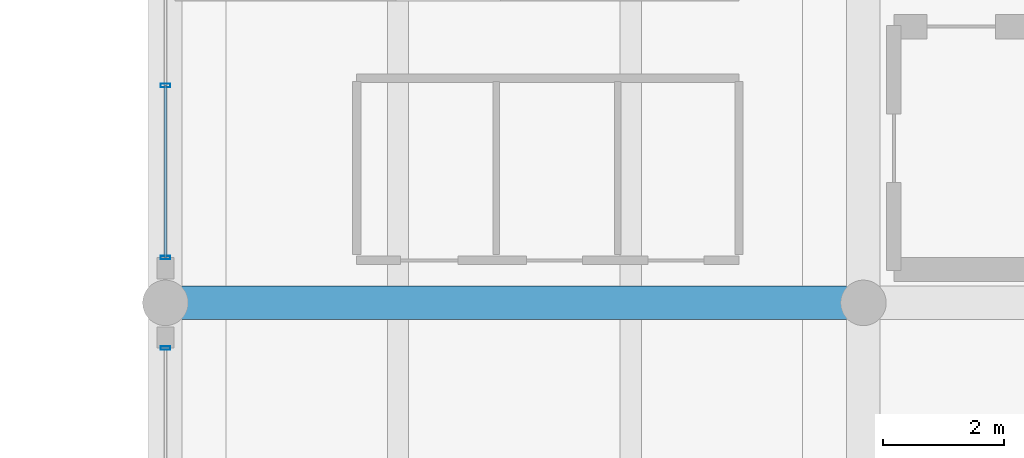
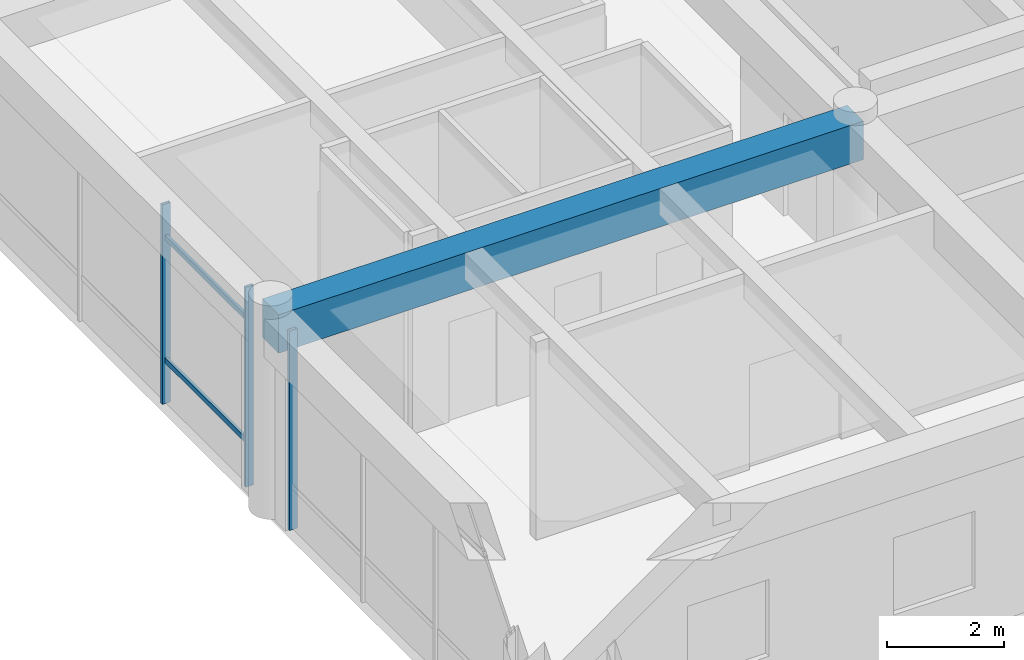
# One storey, part 5 of 27: 5 members, 1 beam, 2 elements without a shape of their own.
"""IFC4 building model written with IfcOpenShell, lengths in metres."""

from ifc_helpers import new_model, si_unit, direction, frame, origin, origin_2d, place, context, subcontext, project, spatial, rectangle, hollow_rectangle, extrude, material, material_profile, profile_set, type_object, element, aggregate, save


model = new_model("IFC4")

# Units and contexts
model_context = context("Model", 3, precision=1e-05, world=origin(), true_north=direction((0.0, 1.0)))
body_context = subcontext(model_context, "Body", "Model", "MODEL_VIEW")
ifc_project = project(units=[si_unit("LENGTHUNIT", "METRE"), si_unit("AREAUNIT", "SQUARE_METRE"), si_unit("VOLUMEUNIT", "CUBIC_METRE"), si_unit("PLANEANGLEUNIT", "RADIAN"), si_unit("MASSUNIT", "GRAM", prefix="KILO")], contexts=[model_context])

# Site, building, storey
site_placement = place(None, origin())
site = spatial("IfcSite", under=ifc_project, at=site_placement, CompositionType="ELEMENT")
building_placement = place(site_placement, origin())
building = spatial("IfcBuilding", under=site, at=building_placement, Name="Ologun Quay Terminus", CompositionType="ELEMENT")
storey_placement = place(building_placement, frame((0.0, 0.0, 22.4599609375)))
storey = spatial("IfcBuildingStorey", under=building, at=storey_placement, Name="L05", CompositionType="ELEMENT", Elevation=22.4599609375)

# Curtain wall, member
ifc_material_1 = material(Name="Aluminium 6063-T6", Category="aluminium")
curtain_wall_type = type_object("IfcCurtainWallType", Name="Operations Wing Canteen Curtain Wall L05 10600x4050", PredefinedType="USERDEFINED", material=ifc_material_1)
curtain_wall_1_placement = place(storey_placement, origin())
curtain_wall_1 = element("IfcCurtainWall", 1, at=curtain_wall_1_placement, inside=storey, type_object=curtain_wall_type, Name="CW-28 Curtain Wall CW-L05-156", ObjectType="UNITISED CURTAIN WALL", PredefinedType="USERDEFINED")
ifc_material_2 = material(Name="Aluminium 6063-T6", Category="aluminium")
ifc_material_profile_1 = material_profile(ifc_material_2, hollow_rectangle(XDim=0.06005859375, YDim=0.159912109375, WallThickness=0.00390625, at=origin_2d()), Name="ALU 160x60x4")
ifc_profile_set_1 = profile_set([ifc_material_profile_1], Name="Aluminium 6063-T6")
member_type_1 = type_object("IfcMemberType", Name="Courtyard Screen Mullion 160x65", PredefinedType="MULLION", material=ifc_profile_set_1)
member_1_placement = place(storey_placement, frame((115.0, 94.054931640625, 0.0), z_axis=(0.0, 0.0, 1.0), x_axis=(0.0, 1.0, 0.0)))
member_1 = element("IfcMember", 2, at=member_1_placement, type_object=member_type_1, Name="CW-L05-156 Mullion 4", PredefinedType="MULLION", context=body_context, shape_type="SweptSolid", body=[
    extrude(hollow_rectangle(XDim=0.06005859375, YDim=0.159912109375, WallThickness=0.00390625, at=origin_2d()), origin(), (0.0, 0.0, 1.0), 4.150146484375),
])
aggregate(curtain_wall_1, [member_1])

# Curtain wall, members
curtain_wall_2_placement = place(storey_placement, origin())
curtain_wall_2 = element("IfcCurtainWall", 3, at=curtain_wall_2_placement, inside=storey, type_object=curtain_wall_type, Name="CW-28 Curtain Wall CW-L05-157", ObjectType="UNITISED CURTAIN WALL", PredefinedType="USERDEFINED")
member_2_placement = place(storey_placement, frame((115.0, 95.544921875, 0.0), z_axis=(0.0, 0.0, 1.0), x_axis=(0.0, 1.0, 0.0)))
member_2 = element("IfcMember", 4, at=member_2_placement, type_object=member_type_1, Name="CW-L05-157 Mullion 1", PredefinedType="MULLION", context=body_context, shape_type="SweptSolid", body=[
    extrude(hollow_rectangle(XDim=0.06005859375, YDim=0.159912109375, WallThickness=0.00390625, at=origin_2d()), origin(), (0.0, 0.0, 1.0), 4.150146484375),
])
member_3_placement = place(storey_placement, frame((115.0, 98.381591796875, 0.0), z_axis=(0.0, 0.0, 1.0), x_axis=(0.0, 1.0, 0.0)))
member_3 = element("IfcMember", 5, at=member_3_placement, type_object=member_type_1, Name="CW-L05-157 Mullion 2", PredefinedType="MULLION", context=body_context, shape_type="SweptSolid", body=[
    extrude(hollow_rectangle(XDim=0.06005859375, YDim=0.159912109375, WallThickness=0.00390625, at=origin_2d()), origin(), (0.0, 0.0, 1.0), 4.150146484375),
])
ifc_material_3 = material(Name="Aluminium 6063-T6", Category="aluminium")
ifc_material_profile_2 = material_profile(ifc_material_3, hollow_rectangle(XDim=0.054931640625, YDim=0.110107421875, WallThickness=0.00390625, at=origin_2d()), Name="ALU 110x55x4")
ifc_profile_set_2 = profile_set([ifc_material_profile_2], Name="Aluminium 6063-T6")
member_type_2 = type_object("IfcMemberType", Name="Courtyard Screen Transom 110x55", PredefinedType="USERDEFINED", material=ifc_profile_set_2)
member_4_placement = place(storey_placement, frame((115.0, 95.544921875, 0.900146484375), z_axis=(0.0, 1.0, 0.0), x_axis=(-1.0, 0.0, 0.0)))
member_4 = element("IfcMember", 6, at=member_4_placement, type_object=member_type_2, Name="CW-L05-157 Transom B1-1", ObjectType="TRANSOM", PredefinedType="USERDEFINED", context=body_context, shape_type="SweptSolid", body=[
    extrude(hollow_rectangle(XDim=0.054931640625, YDim=0.110107421875, WallThickness=0.00390625, at=origin_2d()), origin(), (0.0, 0.0, 1.0), 2.836669921875),
])
member_5_placement = place(storey_placement, frame((115.0, 95.544921875, 3.449951171875), z_axis=(0.0, 1.0, 0.0), x_axis=(-1.0, 0.0, 0.0)))
member_5 = element("IfcMember", 7, at=member_5_placement, type_object=member_type_2, Name="CW-L05-157 Transom B1-2", ObjectType="TRANSOM", PredefinedType="USERDEFINED", context=body_context, shape_type="SweptSolid", body=[
    extrude(hollow_rectangle(XDim=0.054931640625, YDim=0.110107421875, WallThickness=0.00390625, at=origin_2d()), origin(), (0.0, 0.0, 1.0), 2.836669921875),
])
aggregate(curtain_wall_2, [member_2, member_3, member_4, member_5])

# Beam
ifc_material_4 = material(Name="Concrete C40/50", Category="concrete")
ifc_material_profile_3 = material_profile(ifc_material_4, rectangle(XDim=0.550048828125, YDim=0.800048828125, at=origin_2d()), Name="RC 550x800")
ifc_profile_set_3 = profile_set([ifc_material_profile_3], Name="Concrete C40/50")
beam_type = type_object("IfcBeamType", Name="Courtyard Wing Primary Girder 550x800", PredefinedType="BEAM", material=ifc_profile_set_3)
beam_placement = place(storey_placement, frame((115.0, 94.800048828125, 3.760009765625), z_axis=(1.0, 0.0, 0.0), x_axis=(0.0, 1.0, 0.0)))
element("IfcBeam", 8, at=beam_placement, inside=storey, type_object=beam_type, Name="B4 Beam 11/H L05", PredefinedType="BEAM", context=body_context, shape_type="SweptSolid", body=[
    extrude(rectangle(XDim=0.550048828125, YDim=0.800048828125, at=origin_2d()), origin(), (0.0, 0.0, 1.0), 11.5),
])

save(model, "model.ifc")
